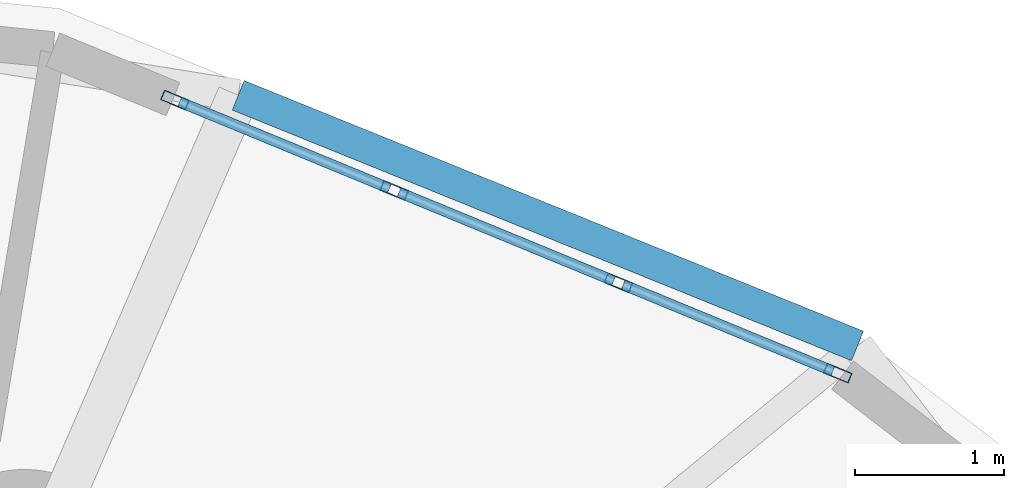
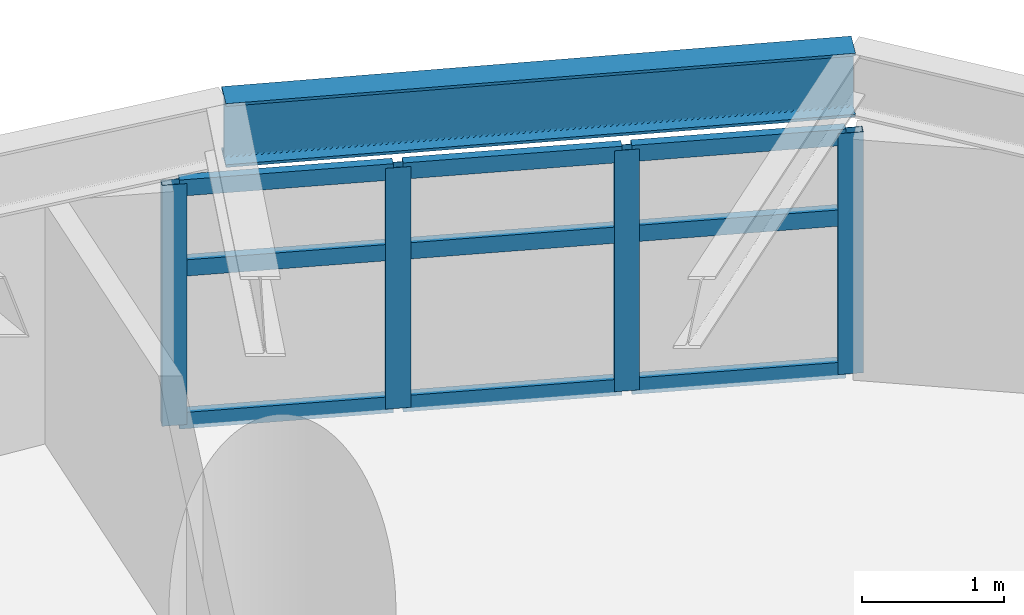
# One storey, part 7 of 18: 13 members, 1 beam, 1 element without a shape of its own.
"""IFC4 building model written with IfcOpenShell, lengths in metres."""

from ifc_helpers import new_model, si_unit, direction, frame, origin, origin_2d, place, context, subcontext, project, spatial, hollow_rectangle, i_section, extrude, material, layer, layer_set, material_profile, profile_set, type_object, element, aggregate, save


model = new_model("IFC4")

# Units and contexts
model_context = context("Model", 3, precision=1e-05, world=origin(), true_north=direction((0.0, 1.0)))
body_context = subcontext(model_context, "Body", "Model", "MODEL_VIEW")
ifc_project = project(units=[si_unit("LENGTHUNIT", "METRE"), si_unit("AREAUNIT", "SQUARE_METRE"), si_unit("VOLUMEUNIT", "CUBIC_METRE"), si_unit("PLANEANGLEUNIT", "RADIAN"), si_unit("MASSUNIT", "GRAM", prefix="KILO")], contexts=[model_context])

# Site, building, storey
site_placement = place(None, origin())
site = spatial("IfcSite", under=ifc_project, at=site_placement, CompositionType="ELEMENT")
building_placement = place(site_placement, origin())
building = spatial("IfcBuilding", under=site, at=building_placement, Name="Cununo Teusaquillo Station Towers", CompositionType="ELEMENT")
storey_placement = place(building_placement, frame((0.0, 0.0, 36.550048828125)))
storey = spatial("IfcBuildingStorey", under=building, at=storey_placement, Name="L10", CompositionType="ELEMENT", Elevation=36.550048828125)

# Beam
ifc_material_1 = material(Name="Steel ASTM A572 Grade 50", Category="steel")
ifc_material_profile_1 = material_profile(ifc_material_1, i_section(OverallWidth=0.214111328125, OverallDepth=0.549072265625, WebThickness=0.0146484375, FlangeThickness=0.023681640625, FilletRadius=0.014892578125, at=origin_2d()), Name="W21X93")
ifc_profile_set_1 = profile_set([ifc_material_profile_1], Name="Steel ASTM A572 Grade 50")
beam_type = type_object("IfcBeamType", Name="BM-RING-Z1", PredefinedType="SPANDREL", material=ifc_profile_set_1)
beam_placement = place(storey_placement, frame((63.8779296875, 39.26416015625, 2.37548828125), z_axis=(-0.926969821386, 0.375135909025, 0.0), x_axis=(-0.375135909025, -0.926969821386, 0.0)))
element("IfcBeam", 1, at=beam_placement, inside=storey, type_object=beam_type, Name="L10 Tower B Spandrel Ring Beam 02", PredefinedType="SPANDREL", context=body_context, shape_type="SweptSolid", body=[
    extrude(i_section(OverallWidth=0.214111328125, OverallDepth=0.549072265625, WebThickness=0.0146484375, FlangeThickness=0.023681640625, FilletRadius=0.014892578125, at=origin_2d()), origin(), (0.0, 0.0, 1.0), 4.480712890625),
])

# Curtain wall, members
ifc_material_2 = material(Name="Ceramic-fritted dark low-E double glazing", Category="glass")
ifc_layer = layer(ifc_material_2, 0.179931640625)
ifc_layer_set = layer_set([ifc_layer], Name="Ceramic-fritted dark low-E double glazing")
curtain_wall_type = type_object("IfcCurtainWallType", Name="CW-SYS-02", PredefinedType="USERDEFINED", material=ifc_layer_set)
curtain_wall_placement = place(storey_placement, origin())
curtain_wall = element("IfcCurtainWall", 2, at=curtain_wall_placement, inside=storey, type_object=curtain_wall_type, Name="L10 Tower B Facade Curtain Wall C01", ObjectType="FRITTED GLAZING", PredefinedType="USERDEFINED")
ifc_material_3 = material(Name="Anodised dark bronze aluminium EN AW-6063-T6", Category="aluminium")
ifc_material_profile_2 = material_profile(ifc_material_3, hollow_rectangle(XDim=0.070068359375, YDim=0.179931640625, WallThickness=0.00390625, at=origin_2d()), Name="CW-MULL-70x180")
ifc_profile_set_2 = profile_set([ifc_material_profile_2], Name="Anodised dark bronze aluminium EN AW-6063-T6")
member_type_1 = type_object("IfcMemberType", Name="CWM-180", PredefinedType="MULLION", material=ifc_profile_set_2)
member_1_placement = place(storey_placement, frame((59.30029296875, 40.91357421875, 0.0), z_axis=(0.0, 0.0, 1.0), x_axis=(0.381054980568, 0.924552379146, 0.0)))
member_1 = element("IfcMember", 3, at=member_1_placement, type_object=member_type_1, Name="CW-02 mullion 1", PredefinedType="MULLION", context=body_context, shape_type="SweptSolid", body=[
    extrude(hollow_rectangle(XDim=0.070068359375, YDim=0.179931640625, WallThickness=0.00390625, at=origin_2d()), origin(), (0.0, 0.0, 1.0), 2.072998046875),
])
member_2_placement = place(storey_placement, frame((60.771240234375, 40.307373046875, 0.0), z_axis=(0.0, 0.0, 1.0), x_axis=(0.381054980568, 0.924552379146, 0.0)))
member_2 = element("IfcMember", 4, at=member_2_placement, type_object=member_type_1, Name="CW-02 mullion 2", PredefinedType="MULLION", context=body_context, shape_type="SweptSolid", body=[
    extrude(hollow_rectangle(XDim=0.070068359375, YDim=0.179931640625, WallThickness=0.00390625, at=origin_2d()), origin(), (0.0, 0.0, 1.0), 2.072998046875),
])
member_3_placement = place(storey_placement, frame((62.274658203125, 39.687744140625, 0.0), z_axis=(0.0, 0.0, 1.0), x_axis=(0.381054980568, 0.924552379146, 0.0)))
member_3 = element("IfcMember", 5, at=member_3_placement, type_object=member_type_1, Name="CW-02 mullion 3", PredefinedType="MULLION", context=body_context, shape_type="SweptSolid", body=[
    extrude(hollow_rectangle(XDim=0.070068359375, YDim=0.179931640625, WallThickness=0.00390625, at=origin_2d()), origin(), (0.0, 0.0, 1.0), 2.072998046875),
])
member_4_placement = place(storey_placement, frame((63.74560546875, 39.08154296875, 0.0), z_axis=(0.0, 0.0, 1.0), x_axis=(0.381054980568, 0.924552379146, 0.0)))
member_4 = element("IfcMember", 6, at=member_4_placement, type_object=member_type_1, Name="CW-02 mullion 4", PredefinedType="MULLION", context=body_context, shape_type="SweptSolid", body=[
    extrude(hollow_rectangle(XDim=0.070068359375, YDim=0.179931640625, WallThickness=0.00390625, at=origin_2d()), origin(), (0.0, 0.0, 1.0), 2.072998046875),
])
ifc_material_4 = material(Name="Anodised dark bronze aluminium EN AW-6063-T6", Category="aluminium")
ifc_material_profile_3 = material_profile(ifc_material_4, hollow_rectangle(XDim=0.070068359375, YDim=0.139892578125, WallThickness=0.00390625, at=origin_2d()), Name="CW-TRAN-70x140")
ifc_profile_set_3 = profile_set([ifc_material_profile_3], Name="Anodised dark bronze aluminium EN AW-6063-T6")
member_type_2 = type_object("IfcMemberType", Name="CWT-140", PredefinedType="USERDEFINED", material=ifc_profile_set_3)
member_5_placement = place(storey_placement, frame((59.33251953125, 40.900390625, 0.034912109375), z_axis=(0.924551727134, -0.381056562538, 0.0), x_axis=(0.381056562538, 0.924551727134, 0.0)))
member_5 = element("IfcMember", 7, at=member_5_placement, type_object=member_type_2, Name="CW-02 transom 1.1", ObjectType="TRANSOM", PredefinedType="USERDEFINED", context=body_context, shape_type="SweptSolid", body=[
    extrude(hollow_rectangle(XDim=0.070068359375, YDim=0.139892578125, WallThickness=0.00390625, at=origin_2d()), origin(), (0.0, 0.0, 1.0), 1.52099609375),
])
member_6_placement = place(storey_placement, frame((59.33251953125, 40.900390625, 1.346923828125), z_axis=(0.924551727134, -0.381056562538, 0.0), x_axis=(0.381056562538, 0.924551727134, 0.0)))
member_6 = element("IfcMember", 8, at=member_6_placement, type_object=member_type_2, Name="CW-02 transom 1.2", ObjectType="TRANSOM", PredefinedType="USERDEFINED", context=body_context, shape_type="SweptSolid", body=[
    extrude(hollow_rectangle(XDim=0.070068359375, YDim=0.139892578125, WallThickness=0.00390625, at=origin_2d()), origin(), (0.0, 0.0, 1.0), 1.52099609375),
])
member_7_placement = place(storey_placement, frame((59.33251953125, 40.900390625, 2.037841796875), z_axis=(0.924551727134, -0.381056562538, 0.0), x_axis=(0.381056562538, 0.924551727134, 0.0)))
member_7 = element("IfcMember", 9, at=member_7_placement, type_object=member_type_2, Name="CW-02 transom 1.3", ObjectType="TRANSOM", PredefinedType="USERDEFINED", context=body_context, shape_type="SweptSolid", body=[
    extrude(hollow_rectangle(XDim=0.070068359375, YDim=0.139892578125, WallThickness=0.00390625, at=origin_2d()), origin(), (0.0, 0.0, 1.0), 1.52099609375),
])
member_8_placement = place(storey_placement, frame((60.8037109375, 40.2939453125, 0.034912109375), z_axis=(0.924574069504, -0.381002349076, 0.0), x_axis=(0.381002349076, 0.924574069504, 0.0)))
member_8 = element("IfcMember", 10, at=member_8_placement, type_object=member_type_2, Name="CW-02 transom 2.1", ObjectType="TRANSOM", PredefinedType="USERDEFINED", context=body_context, shape_type="SweptSolid", body=[
    extrude(hollow_rectangle(XDim=0.070068359375, YDim=0.139892578125, WallThickness=0.00390625, at=origin_2d()), origin(), (0.0, 0.0, 1.0), 1.555908203125),
])
member_9_placement = place(storey_placement, frame((60.8037109375, 40.2939453125, 1.346923828125), z_axis=(0.924574069504, -0.381002349076, 0.0), x_axis=(0.381002349076, 0.924574069504, 0.0)))
member_9 = element("IfcMember", 11, at=member_9_placement, type_object=member_type_2, Name="CW-02 transom 2.2", ObjectType="TRANSOM", PredefinedType="USERDEFINED", context=body_context, shape_type="SweptSolid", body=[
    extrude(hollow_rectangle(XDim=0.070068359375, YDim=0.139892578125, WallThickness=0.00390625, at=origin_2d()), origin(), (0.0, 0.0, 1.0), 1.555908203125),
])
member_10_placement = place(storey_placement, frame((60.8037109375, 40.2939453125, 2.037841796875), z_axis=(0.924574069504, -0.381002349076, 0.0), x_axis=(0.381002349076, 0.924574069504, 0.0)))
member_10 = element("IfcMember", 12, at=member_10_placement, type_object=member_type_2, Name="CW-02 transom 2.3", ObjectType="TRANSOM", PredefinedType="USERDEFINED", context=body_context, shape_type="SweptSolid", body=[
    extrude(hollow_rectangle(XDim=0.070068359375, YDim=0.139892578125, WallThickness=0.00390625, at=origin_2d()), origin(), (0.0, 0.0, 1.0), 1.555908203125),
])
member_11_placement = place(storey_placement, frame((62.306884765625, 39.674560546875, 0.034912109375), z_axis=(0.924551727134, -0.381056562538, 0.0), x_axis=(0.381056562538, 0.924551727134, 0.0)))
member_11 = element("IfcMember", 13, at=member_11_placement, type_object=member_type_2, Name="CW-02 transom 3.1", ObjectType="TRANSOM", PredefinedType="USERDEFINED", context=body_context, shape_type="SweptSolid", body=[
    extrude(hollow_rectangle(XDim=0.070068359375, YDim=0.139892578125, WallThickness=0.00390625, at=origin_2d()), origin(), (0.0, 0.0, 1.0), 1.52099609375),
])
member_12_placement = place(storey_placement, frame((62.306884765625, 39.674560546875, 1.346923828125), z_axis=(0.924551727134, -0.381056562538, 0.0), x_axis=(0.381056562538, 0.924551727134, 0.0)))
member_12 = element("IfcMember", 14, at=member_12_placement, type_object=member_type_2, Name="CW-02 transom 3.2", ObjectType="TRANSOM", PredefinedType="USERDEFINED", context=body_context, shape_type="SweptSolid", body=[
    extrude(hollow_rectangle(XDim=0.070068359375, YDim=0.139892578125, WallThickness=0.00390625, at=origin_2d()), origin(), (0.0, 0.0, 1.0), 1.52099609375),
])
member_13_placement = place(storey_placement, frame((62.306884765625, 39.674560546875, 2.037841796875), z_axis=(0.924551727134, -0.381056562538, 0.0), x_axis=(0.381056562538, 0.924551727134, 0.0)))
member_13 = element("IfcMember", 15, at=member_13_placement, type_object=member_type_2, Name="CW-02 transom 3.3", ObjectType="TRANSOM", PredefinedType="USERDEFINED", context=body_context, shape_type="SweptSolid", body=[
    extrude(hollow_rectangle(XDim=0.070068359375, YDim=0.139892578125, WallThickness=0.00390625, at=origin_2d()), origin(), (0.0, 0.0, 1.0), 1.52099609375),
])
aggregate(curtain_wall, [member_1, member_2, member_3, member_4, member_5, member_6, member_7, member_8, member_9, member_10, member_11, member_12, member_13])

save(model, "model.ifc")
